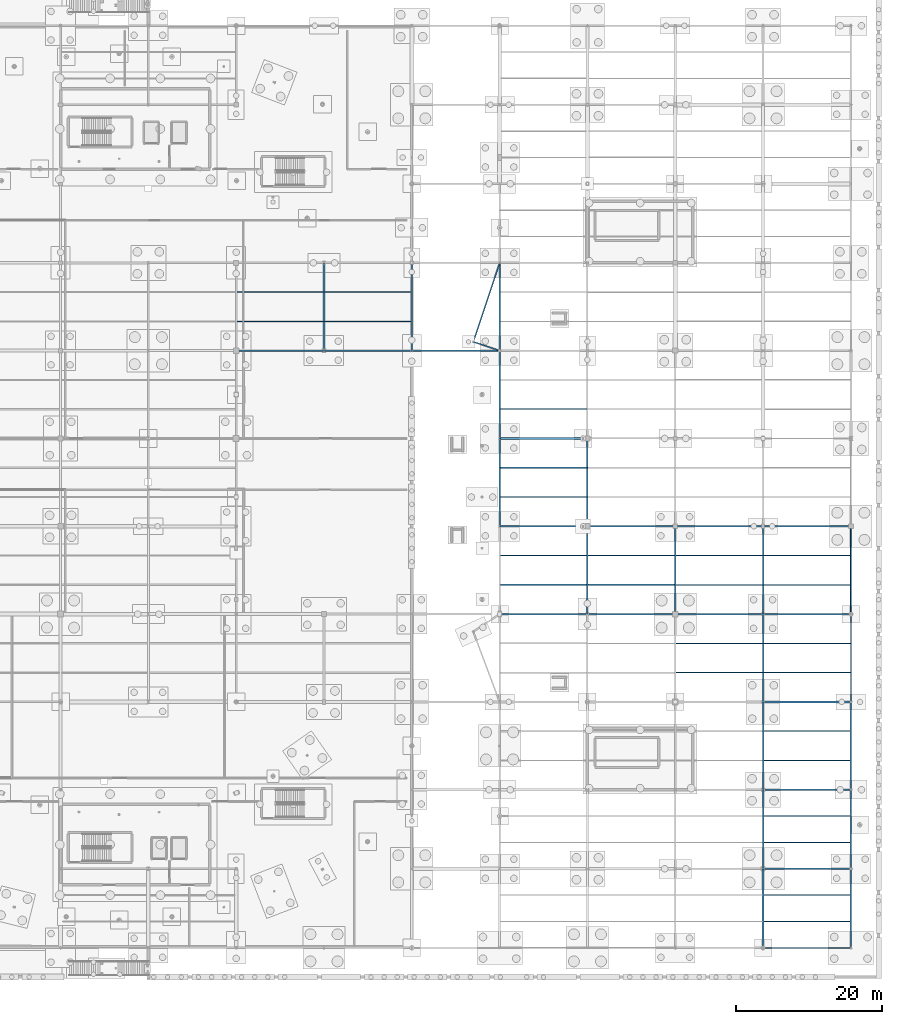
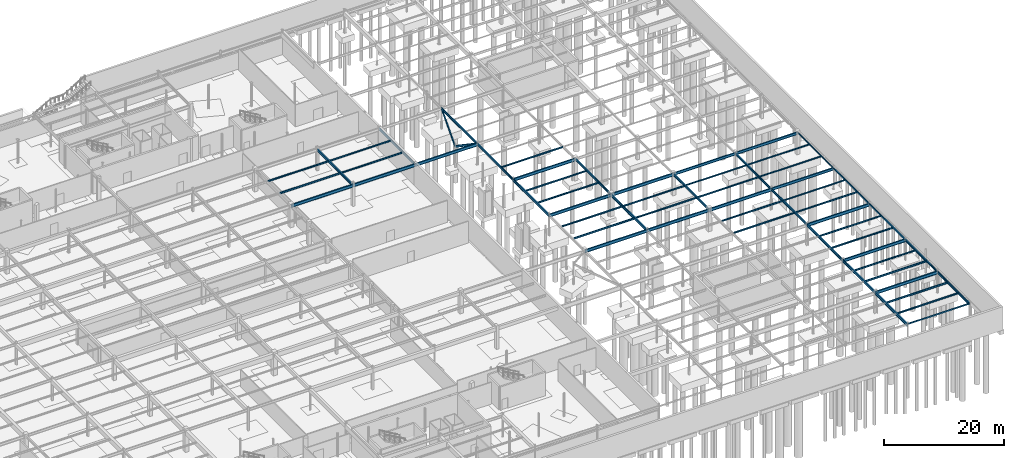
# One storey, part 85 of 136: 61 beams.
"""IFC4 building model written with IfcOpenShell, lengths in metres."""

from ifc_helpers import new_model, si_unit, direction, frame, origin, origin_2d, place, context, subcontext, project, spatial, hollow_rectangle, i_section, extrude, material, material_profile, profile_set, type_object, element, save


model = new_model("IFC4")

# Units and contexts
model_context = context("Model", 3, precision=1e-05, world=origin(), true_north=direction((0.0, 1.0)))
body_context = subcontext(model_context, "Body", "Model", "MODEL_VIEW")
ifc_project = project(units=[si_unit("LENGTHUNIT", "METRE"), si_unit("AREAUNIT", "SQUARE_METRE"), si_unit("VOLUMEUNIT", "CUBIC_METRE"), si_unit("PLANEANGLEUNIT", "RADIAN"), si_unit("MASSUNIT", "GRAM", prefix="KILO")], contexts=[model_context])

# Site, building, storey
site_placement = place(None, origin())
site = spatial("IfcSite", under=ifc_project, at=site_placement, CompositionType="ELEMENT")
building_placement = place(site_placement, origin())
building = spatial("IfcBuilding", under=site, at=building_placement, Name="Tarnwether General Hospital", CompositionType="ELEMENT")
storey_placement = place(building_placement, frame((0.0, 0.0, -4.800048828125)))
storey = spatial("IfcBuildingStorey", under=building, at=storey_placement, Name="LG", CompositionType="ELEMENT", Elevation=-4.800048828125)

# Beams
ifc_material_1 = material(Name="Steel Grade 350 (350 MPa)", Category="steel")
ifc_material_profile_1 = material_profile(ifc_material_1, i_section(OverallWidth=0.22900390625, OverallDepth=0.612060546875, WebThickness=0.011962890625, FlangeThickness=0.01953125, at=origin_2d()), Name="610UB125")
ifc_profile_set_1 = profile_set([ifc_material_profile_1], Name="Steel Grade 350 (350 MPa)")
beam_type_1 = type_object("IfcBeamType", Name="BM-G03", PredefinedType="BEAM", material=ifc_profile_set_1)
for number, where, z_axis, x_axis, name in (
    (1, (108.0, 81.60009765625, 4.1240234375), (1.0, 0.0, 0.0), (0.0, 1.0, 0.0), "Primary Girder BMG-LG-10800_8160-12000_8160-0200"),
    (2, (144.0, 45.60009765625, 4.114013671875), (1.0, 0.0, 0.0), (0.0, 1.0, 0.0), "Primary Girder BMG-LG-14400_4560-15600_4560-0239"),
    (3, (180.0, 10.800048828125, 4.114013671875), (1.0, 0.0, 0.0), (0.0, 1.0, 0.0), "Primary Girder BMG-LG-18000_1080-19200_1080-0302"),
):
    element("IfcBeam", number, at=place(storey_placement, frame(where, z_axis=z_axis, x_axis=x_axis)), inside=storey, type_object=beam_type_1, Name=name, PredefinedType="BEAM", context=body_context, shape_type="SweptSolid", body=[
        extrude(i_section(OverallWidth=0.22900390625, OverallDepth=0.612060546875, WebThickness=0.011962890625, FlangeThickness=0.01953125, at=origin_2d()), origin(), (0.0, 0.0, 1.0), 12.0),
    ])
ifc_material_2 = material(Name="Steel Grade 350 (350 MPa)", Category="steel")
ifc_material_profile_2 = material_profile(ifc_material_2, i_section(OverallWidth=0.22802734375, OverallDepth=0.60693359375, WebThickness=0.01123046875, FlangeThickness=0.017333984375, at=origin_2d()), Name="610UB113")
ifc_profile_set_2 = profile_set([ifc_material_profile_2], Name="Steel Grade 350 (350 MPa)")
beam_type_2 = type_object("IfcBeamType", Name="BM-G04", PredefinedType="BEAM", material=ifc_profile_set_2)
for number, where, z_axis, x_axis, name in (
    (4, (120.0, 81.60009765625, 4.116455078125), (1.0, 0.0, 0.0), (0.0, 1.0, 0.0), "Primary Girder BMG-LG-12000_8160-13200_8160-0209"),
    (5, (144.0, 57.60009765625, 4.116455078125), (1.0, 0.0, 0.0), (0.0, 1.0, 0.0), "Primary Girder BMG-LG-14400_5760-15600_5760-0241"),
    (6, (156.0, 45.60009765625, 4.116455078125), (1.0, 0.0, 0.0), (0.0, 1.0, 0.0), "Primary Girder BMG-LG-15600_4560-16800_4560-0262"),
    (7, (180.0, 21.60009765625, 4.116455078125), (1.0, 0.0, 0.0), (0.0, 1.0, 0.0), "Primary Girder BMG-LG-18000_2160-19200_2160-0304"),
):
    element("IfcBeam", number, at=place(storey_placement, frame(where, z_axis=z_axis, x_axis=x_axis)), inside=storey, type_object=beam_type_2, Name=name, PredefinedType="BEAM", context=body_context, shape_type="SweptSolid", body=[
        extrude(i_section(OverallWidth=0.22802734375, OverallDepth=0.60693359375, WebThickness=0.01123046875, FlangeThickness=0.017333984375, at=origin_2d()), origin(), (0.0, 0.0, 1.0), 12.0),
    ])
ifc_material_3 = material(Name="Steel Grade 350 (350 MPa)", Category="steel")
ifc_material_profile_3 = material_profile(ifc_material_3, i_section(OverallWidth=0.22802734375, OverallDepth=0.60205078125, WebThickness=0.010498046875, FlangeThickness=0.014892578125, at=origin_2d()), Name="610UB101")
ifc_profile_set_3 = profile_set([ifc_material_profile_3], Name="Steel Grade 350 (350 MPa)")
beam_type_3 = type_object("IfcBeamType", Name="BM-G05", PredefinedType="BEAM", material=ifc_profile_set_3)
for number, where, z_axis, x_axis, name in (
    (8, (132.0, 81.60009765625, 4.119140625), (1.0, 0.0, 0.0), (0.0, 1.0, 0.0), "Primary Girder BMG-LG-13200_8160-14400_8160-0222"),
    (9, (144.0, 69.60009765625, 4.119140625), (1.0, 0.0, 0.0), (0.0, 1.0, 0.0), "Primary Girder BMG-LG-14400_6960-15600_6960-0243"),
    (10, (156.0, 57.60009765625, 4.13916015625), (1.0, 0.0, 0.0), (0.0, 1.0, 0.0), "Primary Girder BMG-LG-15600_5760-16800_5760-0264"),
    (11, (168.0, 45.60009765625, 4.119140625), (1.0, 0.0, 0.0), (0.0, 1.0, 0.0), "Primary Girder BMG-LG-16800_4560-18000_4560-0285"),
):
    element("IfcBeam", number, at=place(storey_placement, frame(where, z_axis=z_axis, x_axis=x_axis)), inside=storey, type_object=beam_type_3, Name=name, PredefinedType="BEAM", context=body_context, shape_type="SweptSolid", body=[
        extrude(i_section(OverallWidth=0.22802734375, OverallDepth=0.60205078125, WebThickness=0.010498046875, FlangeThickness=0.014892578125, at=origin_2d()), origin(), (0.0, 0.0, 1.0), 12.0),
    ])
beam_1_placement = place(storey_placement, frame((180.0, 0.0, 4.119140625), z_axis=(0.0, 1.0, 0.0), x_axis=(-1.0, 0.0, 0.0)))
element("IfcBeam", 12, at=beam_1_placement, inside=storey, type_object=beam_type_3, Name="Primary Girder BMG-LG-18000_0-18000_1080-0301", PredefinedType="BEAM", context=body_context, shape_type="SweptSolid", body=[
    extrude(i_section(OverallWidth=0.22802734375, OverallDepth=0.60205078125, WebThickness=0.010498046875, FlangeThickness=0.014892578125, at=origin_2d()), origin(), (0.0, 0.0, 1.0), 10.800048828125),
])
beam_2_placement = place(storey_placement, frame((180.0, 33.60009765625, 4.119140625), z_axis=(1.0, 0.0, 0.0), x_axis=(0.0, 1.0, 0.0)))
element("IfcBeam", 13, at=beam_2_placement, inside=storey, type_object=beam_type_3, Name="Primary Girder BMG-LG-18000_3360-19200_3360-0306", PredefinedType="BEAM", context=body_context, shape_type="SweptSolid", body=[
    extrude(i_section(OverallWidth=0.22802734375, OverallDepth=0.60205078125, WebThickness=0.010498046875, FlangeThickness=0.014892578125, at=origin_2d()), origin(), (0.0, 0.0, 1.0), 12.0),
])
ifc_material_4 = material(Name="Steel Grade 350 (350 MPa)", Category="steel")
ifc_material_profile_4 = material_profile(ifc_material_4, i_section(OverallWidth=0.208984375, OverallDepth=0.532958984375, WebThickness=0.01025390625, FlangeThickness=0.015625, at=origin_2d()), Name="530UB92.4")
ifc_profile_set_4 = profile_set([ifc_material_profile_4], Name="Steel Grade 350 (350 MPa)")
beam_type_4 = type_object("IfcBeamType", Name="BM-G06", PredefinedType="BEAM", material=ifc_profile_set_4)
beam_3_placement = place(storey_placement, frame((168.0, 57.60009765625, 4.173583984375), z_axis=(1.0, 0.0, 0.0), x_axis=(0.0, 1.0, 0.0)))
element("IfcBeam", 14, at=beam_3_placement, inside=storey, type_object=beam_type_4, Name="Primary Girder BMG-LG-16800_5760-18000_5760-0287", PredefinedType="BEAM", context=body_context, shape_type="SweptSolid", body=[
    extrude(i_section(OverallWidth=0.208984375, OverallDepth=0.532958984375, WebThickness=0.01025390625, FlangeThickness=0.015625, at=origin_2d()), origin(), (0.0, 0.0, 1.0), 12.0),
])
beam_4_placement = place(storey_placement, frame((180.0, 10.800048828125, 4.153564453125), z_axis=(0.0, 1.0, 0.0), x_axis=(-1.0, 0.0, 0.0)))
element("IfcBeam", 15, at=beam_4_placement, inside=storey, type_object=beam_type_4, Name="Primary Girder BMG-LG-18000_1080-18000_2160-0303", PredefinedType="BEAM", context=body_context, shape_type="SweptSolid", body=[
    extrude(i_section(OverallWidth=0.208984375, OverallDepth=0.532958984375, WebThickness=0.01025390625, FlangeThickness=0.015625, at=origin_2d()), origin(), (0.0, 0.0, 1.0), 10.800048828125),
])
beam_5_placement = place(storey_placement, frame((180.0, 45.60009765625, 4.153564453125), z_axis=(1.0, 0.0, 0.0), x_axis=(0.0, 1.0, 0.0)))
element("IfcBeam", 16, at=beam_5_placement, inside=storey, type_object=beam_type_4, Name="Primary Girder BMG-LG-18000_4560-19200_4560-0308", PredefinedType="BEAM", context=body_context, shape_type="SweptSolid", body=[
    extrude(i_section(OverallWidth=0.208984375, OverallDepth=0.532958984375, WebThickness=0.01025390625, FlangeThickness=0.015625, at=origin_2d()), origin(), (0.0, 0.0, 1.0), 12.0),
])
ifc_material_5 = material(Name="Steel Grade 350 (350 MPa)", Category="steel")
ifc_material_profile_5 = material_profile(ifc_material_5, i_section(OverallWidth=0.208984375, OverallDepth=0.528076171875, WebThickness=0.009521484375, FlangeThickness=0.01318359375, at=origin_2d()), Name="530UB82.0")
ifc_profile_set_5 = profile_set([ifc_material_profile_5], Name="Steel Grade 350 (350 MPa)")
beam_type_5 = type_object("IfcBeamType", Name="BM-G07", PredefinedType="BEAM", material=ifc_profile_set_5)
for number, where, z_axis, x_axis, name in (
    (17, (120.0, 81.60009765625, 4.166015625), (0.0, 1.0, 0.0), (-1.0, 0.0, 0.0), "Primary Girder BMG-LG-12000_8160-12000_9360-0210"),
    (18, (144.0, 57.60009765625, 4.156005859375), (0.0, 1.0, 0.0), (-1.0, 0.0, 0.0), "Primary Girder BMG-LG-14400_5760-14400_6960-0242"),
    (19, (156.0, 45.60009765625, 4.156005859375), (0.0, 1.0, 0.0), (-1.0, 0.0, 0.0), "Primary Girder BMG-LG-15600_4560-15600_5760-0263"),
    (20, (180.0, 21.60009765625, 4.156005859375), (0.0, 1.0, 0.0), (-1.0, 0.0, 0.0), "Primary Girder BMG-LG-18000_2160-18000_3360-0305"),
    (21, (180.0, 57.60009765625, 4.176025390625), (1.0, 0.0, 0.0), (0.0, 1.0, 0.0), "Primary Girder BMG-LG-18000_5760-19200_5760-0310"),
):
    element("IfcBeam", number, at=place(storey_placement, frame(where, z_axis=z_axis, x_axis=x_axis)), inside=storey, type_object=beam_type_5, Name=name, PredefinedType="BEAM", context=body_context, shape_type="SweptSolid", body=[
        extrude(i_section(OverallWidth=0.208984375, OverallDepth=0.528076171875, WebThickness=0.009521484375, FlangeThickness=0.01318359375, at=origin_2d()), origin(), (0.0, 0.0, 1.0), 12.0),
    ])
ifc_material_6 = material(Name="Steel Grade 350 (350 MPa)", Category="steel")
ifc_material_profile_6 = material_profile(ifc_material_6, i_section(OverallWidth=0.19091796875, OverallDepth=0.4599609375, WebThickness=0.010009765625, FlangeThickness=0.01611328125, at=origin_2d()), Name="460UB82.1")
ifc_profile_set_6 = profile_set([ifc_material_profile_6], Name="Steel Grade 350 (350 MPa)")
beam_type_6 = type_object("IfcBeamType", Name="BM-G08", PredefinedType="BEAM", material=ifc_profile_set_6)
for number, where, z_axis, x_axis, name in (
    (22, (132.0, 81.60009765625, 4.18994140625), (0.0, 1.0, 0.0), (-1.0, 0.0, 0.0), "Primary Girder BMG-LG-13200_8160-13200_9360-0223"),
    (23, (144.0, 69.60009765625, 4.18994140625), (0.0, 1.0, 0.0), (-1.0, 0.0, 0.0), "Primary Girder BMG-LG-14400_6960-14400_8160-0244"),
    (24, (156.0, 57.60009765625, 4.2099609375), (0.0, 1.0, 0.0), (-1.0, 0.0, 0.0), "Primary Girder BMG-LG-15600_5760-15600_6960-0265"),
    (25, (168.0, 45.60009765625, 4.18994140625), (0.0, 1.0, 0.0), (-1.0, 0.0, 0.0), "Primary Girder BMG-LG-16800_4560-16800_5760-0286"),
    (26, (180.0, 33.60009765625, 4.18994140625), (0.0, 1.0, 0.0), (-1.0, 0.0, 0.0), "Primary Girder BMG-LG-18000_3360-18000_4560-0307"),
):
    element("IfcBeam", number, at=place(storey_placement, frame(where, z_axis=z_axis, x_axis=x_axis)), inside=storey, type_object=beam_type_6, Name=name, PredefinedType="BEAM", context=body_context, shape_type="SweptSolid", body=[
        extrude(i_section(OverallWidth=0.19091796875, OverallDepth=0.4599609375, WebThickness=0.010009765625, FlangeThickness=0.01611328125, at=origin_2d()), origin(), (0.0, 0.0, 1.0), 12.0),
    ])
ifc_material_7 = material(Name="Steel Grade 350 (350 MPa)", Category="steel")
ifc_material_profile_7 = material_profile(ifc_material_7, i_section(OverallWidth=0.18994140625, OverallDepth=0.45703125, WebThickness=0.009033203125, FlangeThickness=0.014404296875, at=origin_2d()), Name="460UB74.6")
ifc_profile_set_7 = profile_set([ifc_material_profile_7], Name="Steel Grade 350 (350 MPa)")
beam_type_7 = type_object("IfcBeamType", Name="BM-G09", PredefinedType="BEAM", material=ifc_profile_set_7)
for number, where, z_axis, x_axis, name in (
    (27, (144.0, 81.60009765625, 4.191650390625), (0.0, 1.0, 0.0), (-1.0, 0.0, 0.0), "Primary Girder BMG-LG-14400_8160-14400_9360-0246"),
    (28, (180.0, 45.60009765625, 4.191650390625), (0.0, 1.0, 0.0), (-1.0, 0.0, 0.0), "Primary Girder BMG-LG-18000_4560-18000_5760-0309"),
):
    element("IfcBeam", number, at=place(storey_placement, frame(where, z_axis=z_axis, x_axis=x_axis)), inside=storey, type_object=beam_type_7, Name=name, PredefinedType="BEAM", context=body_context, shape_type="SweptSolid", body=[
        extrude(i_section(OverallWidth=0.18994140625, OverallDepth=0.45703125, WebThickness=0.009033203125, FlangeThickness=0.014404296875, at=origin_2d()), origin(), (0.0, 0.0, 1.0), 12.0),
    ])
ifc_material_8 = material(Name="Steel Grade 350 (350 MPa)", Category="steel")
ifc_material_profile_8 = material_profile(ifc_material_8, i_section(OverallWidth=0.166015625, OverallDepth=0.306884765625, WebThickness=0.006591796875, FlangeThickness=0.01171875, at=origin_2d()), Name="310UB46.2")
ifc_profile_set_8 = profile_set([ifc_material_profile_8], Name="Steel Grade 350 (350 MPa)")
beam_type_8 = type_object("IfcBeamType", Name="BM-J05", PredefinedType="JOIST", material=ifc_profile_set_8)
beam_6_placement = place(storey_placement, frame((180.10791015625, 3.60009765625, 4.2666015625), z_axis=(1.0, 0.0, 0.0), x_axis=(0.0, 1.0, 0.0)))
element("IfcBeam", 29, at=beam_6_placement, inside=storey, type_object=beam_type_8, Name="Composite Floor Joist BMG-LG-18011_360-19191_360-0557", PredefinedType="JOIST", context=body_context, shape_type="SweptSolid", body=[
    extrude(i_section(OverallWidth=0.166015625, OverallDepth=0.306884765625, WebThickness=0.006591796875, FlangeThickness=0.01171875, at=origin_2d()), origin(), (0.0, 0.0, 1.0), 11.802978515625),
])
ifc_material_9 = material(Name="Steel Grade 350 (350 MPa)", Category="steel")
ifc_material_profile_9 = material_profile(ifc_material_9, i_section(OverallWidth=0.1708984375, OverallDepth=0.35205078125, WebThickness=0.0068359375, FlangeThickness=0.009765625, at=origin_2d()), Name="360UB44.7")
ifc_profile_set_9 = profile_set([ifc_material_profile_9], Name="Steel Grade 350 (350 MPa)")
beam_type_9 = type_object("IfcBeamType", Name="BM-J06", PredefinedType="JOIST", material=ifc_profile_set_9)
for number, where, z_axis, x_axis, name in (
    (30, (108.09912109375, 85.60009765625, 4.254150390625), (1.0, 0.0, 0.0), (0.0, 1.0, 0.0), "Composite Floor Joist BMG-LG-10810_8560-11990_8560-0485"),
    (31, (144.09912109375, 49.60009765625, 4.244140625), (1.0, 0.0, 0.0), (0.0, 1.0, 0.0), "Composite Floor Joist BMG-LG-14410_4960-15590_4960-0499"),
):
    element("IfcBeam", number, at=place(storey_placement, frame(where, z_axis=z_axis, x_axis=x_axis)), inside=storey, type_object=beam_type_9, Name=name, PredefinedType="JOIST", context=body_context, shape_type="SweptSolid", body=[
        extrude(i_section(OverallWidth=0.1708984375, OverallDepth=0.35205078125, WebThickness=0.0068359375, FlangeThickness=0.009765625, at=origin_2d()), origin(), (0.0, 0.0, 1.0), 11.8017578125),
    ])
beam_7_placement = place(storey_placement, frame((180.10791015625, 7.199951171875, 4.244140625), z_axis=(1.0, 0.0, 0.0), x_axis=(0.0, 1.0, 0.0)))
element("IfcBeam", 32, at=beam_7_placement, inside=storey, type_object=beam_type_9, Name="Composite Floor Joist BMG-LG-18011_720-19191_720-0558", PredefinedType="JOIST", context=body_context, shape_type="SweptSolid", body=[
    extrude(i_section(OverallWidth=0.1708984375, OverallDepth=0.35205078125, WebThickness=0.0068359375, FlangeThickness=0.009765625, at=origin_2d()), origin(), (0.0, 0.0, 1.0), 11.802978515625),
])
beam_8_placement = place(storey_placement, frame((180.09912109375, 14.39990234375, 4.244140625), z_axis=(1.0, 0.0, 0.0), x_axis=(0.0, 1.0, 0.0)))
element("IfcBeam", 33, at=beam_8_placement, inside=storey, type_object=beam_type_9, Name="Composite Floor Joist BMG-LG-18010_1440-19192_1440-0559", PredefinedType="JOIST", context=body_context, shape_type="SweptSolid", body=[
    extrude(i_section(OverallWidth=0.1708984375, OverallDepth=0.35205078125, WebThickness=0.0068359375, FlangeThickness=0.009765625, at=origin_2d()), origin(), (0.0, 0.0, 1.0), 11.81787109375),
])
ifc_material_10 = material(Name="Steel Grade 350 (350 MPa)", Category="steel")
ifc_material_profile_10 = material_profile(ifc_material_10, i_section(OverallWidth=0.1650390625, OverallDepth=0.303955078125, WebThickness=0.006103515625, FlangeThickness=0.01025390625, at=origin_2d()), Name="310UB40.4")
ifc_profile_set_10 = profile_set([ifc_material_profile_10], Name="Steel Grade 350 (350 MPa)")
beam_type_10 = type_object("IfcBeamType", Name="BM-J07", PredefinedType="JOIST", material=ifc_profile_set_10)
beam_9_placement = place(storey_placement, frame((108.09912109375, 89.60009765625, 4.278076171875), z_axis=(1.0, 0.0, 0.0), x_axis=(0.0, 1.0, 0.0)))
element("IfcBeam", 34, at=beam_9_placement, inside=storey, type_object=beam_type_10, Name="Composite Floor Joist BMG-LG-10810_8960-11990_8960-0486", PredefinedType="JOIST", context=body_context, shape_type="SweptSolid", body=[
    extrude(i_section(OverallWidth=0.1650390625, OverallDepth=0.303955078125, WebThickness=0.006103515625, FlangeThickness=0.01025390625, at=origin_2d()), origin(), (0.0, 0.0, 1.0), 11.8017578125),
])
beam_10_placement = place(storey_placement, frame((120.09912109375, 85.60009765625, 4.26806640625), z_axis=(1.0, 0.0, 0.0), x_axis=(0.0, 1.0, 0.0)))
element("IfcBeam", 35, at=beam_10_placement, inside=storey, type_object=beam_type_10, Name="Composite Floor Joist BMG-LG-12010_8560-13191_8560-0489", PredefinedType="JOIST", context=body_context, shape_type="SweptSolid", body=[
    extrude(i_section(OverallWidth=0.1650390625, OverallDepth=0.303955078125, WebThickness=0.006103515625, FlangeThickness=0.01025390625, at=origin_2d()), origin(), (0.0, 0.0, 1.0), 11.811767578125),
])
beam_11_placement = place(storey_placement, frame((144.09912109375, 53.60009765625, 4.26806640625), z_axis=(1.0, 0.0, 0.0), x_axis=(0.0, 1.0, 0.0)))
element("IfcBeam", 36, at=beam_11_placement, inside=storey, type_object=beam_type_10, Name="Composite Floor Joist BMG-LG-14410_5360-15590_5360-0500", PredefinedType="JOIST", context=body_context, shape_type="SweptSolid", body=[
    extrude(i_section(OverallWidth=0.1650390625, OverallDepth=0.303955078125, WebThickness=0.006103515625, FlangeThickness=0.01025390625, at=origin_2d()), origin(), (0.0, 0.0, 1.0), 11.8017578125),
])
for number, where, z_axis, x_axis, name in (
    (37, (144.09912109375, 61.60009765625, 4.26806640625), (1.0, 0.0, 0.0), (0.0, 1.0, 0.0), "Composite Floor Joist BMG-LG-14410_6160-15591_6160-0501"),
    (38, (156.09912109375, 49.60009765625, 4.26806640625), (1.0, 0.0, 0.0), (0.0, 1.0, 0.0), "Composite Floor Joist BMG-LG-15610_4960-16791_4960-0521"),
    (39, (168.09912109375, 37.60009765625, 4.26806640625), (1.0, 0.0, 0.0), (0.0, 1.0, 0.0), "Composite Floor Joist BMG-LG-16810_3760-17991_3760-0541"),
):
    element("IfcBeam", number, at=place(storey_placement, frame(where, z_axis=z_axis, x_axis=x_axis)), inside=storey, type_object=beam_type_10, Name=name, PredefinedType="JOIST", context=body_context, shape_type="SweptSolid", body=[
        extrude(i_section(OverallWidth=0.1650390625, OverallDepth=0.303955078125, WebThickness=0.006103515625, FlangeThickness=0.01025390625, at=origin_2d()), origin(), (0.0, 0.0, 1.0), 11.811767578125),
    ])
beam_12_placement = place(storey_placement, frame((180.09912109375, 18.0, 4.26806640625), z_axis=(1.0, 0.0, 0.0), x_axis=(0.0, 1.0, 0.0)))
element("IfcBeam", 40, at=beam_12_placement, inside=storey, type_object=beam_type_10, Name="Composite Floor Joist BMG-LG-18010_1800-19192_1800-0560", PredefinedType="JOIST", context=body_context, shape_type="SweptSolid", body=[
    extrude(i_section(OverallWidth=0.1650390625, OverallDepth=0.303955078125, WebThickness=0.006103515625, FlangeThickness=0.01025390625, at=origin_2d()), origin(), (0.0, 0.0, 1.0), 11.81787109375),
])
beam_13_placement = place(storey_placement, frame((180.09912109375, 25.60009765625, 4.26806640625), z_axis=(1.0, 0.0, 0.0), x_axis=(0.0, 1.0, 0.0)))
element("IfcBeam", 41, at=beam_13_placement, inside=storey, type_object=beam_type_10, Name="Composite Floor Joist BMG-LG-18010_2560-19191_2560-0561", PredefinedType="JOIST", context=body_context, shape_type="SweptSolid", body=[
    extrude(i_section(OverallWidth=0.1650390625, OverallDepth=0.303955078125, WebThickness=0.006103515625, FlangeThickness=0.01025390625, at=origin_2d()), origin(), (0.0, 0.0, 1.0), 11.806884765625),
])
ifc_material_11 = material(Name="Steel Grade 350 (350 MPa)", Category="steel")
ifc_material_profile_11 = material_profile(ifc_material_11, i_section(OverallWidth=0.14892578125, OverallDepth=0.298095703125, WebThickness=0.005615234375, FlangeThickness=0.008056640625, at=origin_2d()), Name="310UB32.0")
ifc_profile_set_11 = profile_set([ifc_material_profile_11], Name="Steel Grade 350 (350 MPa)")
beam_type_11 = type_object("IfcBeamType", Name="BM-J08", PredefinedType="JOIST", material=ifc_profile_set_11)
for number, where, z_axis, x_axis, name in (
    (42, (120.09912109375, 89.60009765625, 4.27099609375), (1.0, 0.0, 0.0), (0.0, 1.0, 0.0), "Composite Floor Joist BMG-LG-12010_8960-13191_8960-0490"),
    (43, (144.09912109375, 65.60009765625, 4.27099609375), (1.0, 0.0, 0.0), (0.0, 1.0, 0.0), "Composite Floor Joist BMG-LG-14410_6560-15591_6560-0502"),
):
    element("IfcBeam", number, at=place(storey_placement, frame(where, z_axis=z_axis, x_axis=x_axis)), inside=storey, type_object=beam_type_11, Name=name, PredefinedType="JOIST", context=body_context, shape_type="SweptSolid", body=[
        extrude(i_section(OverallWidth=0.14892578125, OverallDepth=0.298095703125, WebThickness=0.005615234375, FlangeThickness=0.008056640625, at=origin_2d()), origin(), (0.0, 0.0, 1.0), 11.811767578125),
    ])
beam_14_placement = place(storey_placement, frame((144.089111328125, 73.60009765625, 4.27099609375), z_axis=(1.0, 0.0, 0.0), x_axis=(0.0, 1.0, 0.0)))
element("IfcBeam", 44, at=beam_14_placement, inside=storey, type_object=beam_type_11, Name="Composite Floor Joist BMG-LG-14409_7360-15591_7360-0503", PredefinedType="JOIST", context=body_context, shape_type="SweptSolid", body=[
    extrude(i_section(OverallWidth=0.14892578125, OverallDepth=0.298095703125, WebThickness=0.005615234375, FlangeThickness=0.008056640625, at=origin_2d()), origin(), (0.0, 0.0, 1.0), 11.82177734375),
])
for number, where, z_axis, x_axis, name in (
    (45, (156.09912109375, 53.60009765625, 4.27099609375), (1.0, 0.0, 0.0), (0.0, 1.0, 0.0), "Composite Floor Joist BMG-LG-15610_5360-16791_5360-0522"),
    (46, (168.09912109375, 41.60009765625, 4.27099609375), (1.0, 0.0, 0.0), (0.0, 1.0, 0.0), "Composite Floor Joist BMG-LG-16810_4160-17991_4160-0542"),
):
    element("IfcBeam", number, at=place(storey_placement, frame(where, z_axis=z_axis, x_axis=x_axis)), inside=storey, type_object=beam_type_11, Name=name, PredefinedType="JOIST", context=body_context, shape_type="SweptSolid", body=[
        extrude(i_section(OverallWidth=0.14892578125, OverallDepth=0.298095703125, WebThickness=0.005615234375, FlangeThickness=0.008056640625, at=origin_2d()), origin(), (0.0, 0.0, 1.0), 11.811767578125),
    ])
beam_15_placement = place(storey_placement, frame((168.089111328125, 49.60009765625, 4.27099609375), z_axis=(1.0, 0.0, 0.0), x_axis=(0.0, 1.0, 0.0)))
element("IfcBeam", 47, at=beam_15_placement, inside=storey, type_object=beam_type_11, Name="Composite Floor Joist BMG-LG-16809_4960-17991_4960-0543", PredefinedType="JOIST", context=body_context, shape_type="SweptSolid", body=[
    extrude(i_section(OverallWidth=0.14892578125, OverallDepth=0.298095703125, WebThickness=0.005615234375, FlangeThickness=0.008056640625, at=origin_2d()), origin(), (0.0, 0.0, 1.0), 11.82177734375),
])
beam_16_placement = place(storey_placement, frame((180.09912109375, 29.60009765625, 4.27099609375), z_axis=(1.0, 0.0, 0.0), x_axis=(0.0, 1.0, 0.0)))
element("IfcBeam", 48, at=beam_16_placement, inside=storey, type_object=beam_type_11, Name="Composite Floor Joist BMG-LG-18010_2960-19191_2960-0562", PredefinedType="JOIST", context=body_context, shape_type="SweptSolid", body=[
    extrude(i_section(OverallWidth=0.14892578125, OverallDepth=0.298095703125, WebThickness=0.005615234375, FlangeThickness=0.008056640625, at=origin_2d()), origin(), (0.0, 0.0, 1.0), 11.806884765625),
])
beam_17_placement = place(storey_placement, frame((180.089111328125, 37.60009765625, 4.27099609375), z_axis=(1.0, 0.0, 0.0), x_axis=(0.0, 1.0, 0.0)))
element("IfcBeam", 49, at=beam_17_placement, inside=storey, type_object=beam_type_11, Name="Composite Floor Joist BMG-LG-18009_3760-19192_3760-0563", PredefinedType="JOIST", context=body_context, shape_type="SweptSolid", body=[
    extrude(i_section(OverallWidth=0.14892578125, OverallDepth=0.298095703125, WebThickness=0.005615234375, FlangeThickness=0.008056640625, at=origin_2d()), origin(), (0.0, 0.0, 1.0), 11.830810546875),
])
ifc_material_12 = material(Name="Steel Grade 350 (350 MPa)", Category="steel")
ifc_material_profile_12 = material_profile(ifc_material_12, i_section(OverallWidth=0.14599609375, OverallDepth=0.256103515625, WebThickness=0.00634765625, FlangeThickness=0.010986328125, at=origin_2d()), Name="250UB37.3")
ifc_profile_set_12 = profile_set([ifc_material_profile_12], Name="Steel Grade 350 (350 MPa)")
beam_type_12 = type_object("IfcBeamType", Name="BM-J09", PredefinedType="JOIST", material=ifc_profile_set_12)
beam_18_placement = place(storey_placement, frame((168.089111328125, 53.60009765625, 4.2919921875), z_axis=(1.0, 0.0, 0.0), x_axis=(0.0, 1.0, 0.0)))
element("IfcBeam", 50, at=beam_18_placement, inside=storey, type_object=beam_type_12, Name="Composite Floor Joist BMG-LG-16809_5360-17991_5360-0544", PredefinedType="JOIST", context=body_context, shape_type="SweptSolid", body=[
    extrude(i_section(OverallWidth=0.14599609375, OverallDepth=0.256103515625, WebThickness=0.00634765625, FlangeThickness=0.010986328125, at=origin_2d()), origin(), (0.0, 0.0, 1.0), 11.82177734375),
])
for number, where, z_axis, x_axis, name in (
    (51, (180.089111328125, 41.60009765625, 4.2919921875), (1.0, 0.0, 0.0), (0.0, 1.0, 0.0), "Composite Floor Joist BMG-LG-18009_4160-19192_4160-0564"),
    (52, (180.089111328125, 49.60009765625, 4.2919921875), (1.0, 0.0, 0.0), (0.0, 1.0, 0.0), "Composite Floor Joist BMG-LG-18009_4960-19192_4960-0565"),
):
    element("IfcBeam", number, at=place(storey_placement, frame(where, z_axis=z_axis, x_axis=x_axis)), inside=storey, type_object=beam_type_12, Name=name, PredefinedType="JOIST", context=body_context, shape_type="SweptSolid", body=[
        extrude(i_section(OverallWidth=0.14599609375, OverallDepth=0.256103515625, WebThickness=0.00634765625, FlangeThickness=0.010986328125, at=origin_2d()), origin(), (0.0, 0.0, 1.0), 11.830810546875),
    ])
ifc_material_13 = material(Name="Steel Grade 350 (350 MPa)", Category="steel")
ifc_material_profile_13 = material_profile(ifc_material_13, i_section(OverallWidth=0.14599609375, OverallDepth=0.251953125, WebThickness=0.006103515625, FlangeThickness=0.008544921875, at=origin_2d()), Name="250UB31.4")
ifc_profile_set_13 = profile_set([ifc_material_profile_13], Name="Steel Grade 350 (350 MPa)")
beam_type_13 = type_object("IfcBeamType", Name="BM-J10", PredefinedType="JOIST", material=ifc_profile_set_13)
beam_19_placement = place(storey_placement, frame((180.089111328125, 53.60009765625, 4.2939453125), z_axis=(1.0, 0.0, 0.0), x_axis=(0.0, 1.0, 0.0)))
element("IfcBeam", 53, at=beam_19_placement, inside=storey, type_object=beam_type_13, Name="Composite Floor Joist BMG-LG-18009_5360-19192_5360-0566", PredefinedType="JOIST", context=body_context, shape_type="SweptSolid", body=[
    extrude(i_section(OverallWidth=0.14599609375, OverallDepth=0.251953125, WebThickness=0.006103515625, FlangeThickness=0.008544921875, at=origin_2d()), origin(), (0.0, 0.0, 1.0), 11.830810546875),
])
ifc_material_14 = material(Name="Steel Grade 350 (350 MPa)", Category="steel")
ifc_material_profile_14 = material_profile(ifc_material_14, i_section(OverallWidth=0.18994140625, OverallDepth=0.4541015625, WebThickness=0.008544921875, FlangeThickness=0.0126953125, at=origin_2d()), Name="460UB67.1")
ifc_profile_set_14 = profile_set([ifc_material_profile_14], Name="Steel Grade 350 (350 MPa)")
beam_type_14 = type_object("IfcBeamType", Name="BM-SP1", PredefinedType="SPANDREL", material=ifc_profile_set_14)
beam_20_placement = place(storey_placement, frame((192.0, 0.0, 4.193115234375), z_axis=(0.0, 1.0, 0.0), x_axis=(-1.0, 0.0, 0.0)))
element("IfcBeam", 54, at=beam_20_placement, inside=storey, type_object=beam_type_14, Name="Primary Girder BMG-LG-19200_0-19200_1080-0323", PredefinedType="SPANDREL", context=body_context, shape_type="SweptSolid", body=[
    extrude(i_section(OverallWidth=0.18994140625, OverallDepth=0.4541015625, WebThickness=0.008544921875, FlangeThickness=0.0126953125, at=origin_2d()), origin(), (0.0, 0.0, 1.0), 10.800048828125),
])
ifc_material_15 = material(Name="Steel Grade 350 (350 MPa)", Category="steel")
ifc_material_profile_15 = material_profile(ifc_material_15, i_section(OverallWidth=0.177978515625, OverallDepth=0.403076171875, WebThickness=0.007568359375, FlangeThickness=0.010986328125, at=origin_2d()), Name="410UB53.7")
ifc_profile_set_15 = profile_set([ifc_material_profile_15], Name="Steel Grade 350 (350 MPa)")
beam_type_15 = type_object("IfcBeamType", Name="BM-SP2", PredefinedType="SPANDREL", material=ifc_profile_set_15)
beam_21_placement = place(storey_placement, frame((192.0, 10.800048828125, 4.218505859375), z_axis=(0.0, 1.0, 0.0), x_axis=(-1.0, 0.0, 0.0)))
element("IfcBeam", 55, at=beam_21_placement, inside=storey, type_object=beam_type_15, Name="Primary Girder BMG-LG-19200_1080-19200_2160-0324", PredefinedType="SPANDREL", context=body_context, shape_type="SweptSolid", body=[
    extrude(i_section(OverallWidth=0.177978515625, OverallDepth=0.403076171875, WebThickness=0.007568359375, FlangeThickness=0.010986328125, at=origin_2d()), origin(), (0.0, 0.0, 1.0), 10.800048828125),
])
beam_22_placement = place(storey_placement, frame((144.0, 81.60009765625, 4.228515625), z_axis=(-0.948689731394, 0.316208465333, 0.0), x_axis=(-0.316208465333, -0.948689731394, 0.0)))
element("IfcBeam", 56, at=beam_22_placement, inside=storey, type_object=beam_type_15, Name="Forecourt North Shard Tie BMG-LG-14400_8160-14040_8280-2222", PredefinedType="SPANDREL", context=body_context, shape_type="SweptSolid", body=[
    extrude(i_section(OverallWidth=0.177978515625, OverallDepth=0.403076171875, WebThickness=0.007568359375, FlangeThickness=0.010986328125, at=origin_2d()), origin(), (0.0, 0.0, 1.0), 3.794921875),
])
beam_23_placement = place(storey_placement, frame((140.39990234375, 82.800048828125, 4.228515625), z_axis=(0.316234199636, 0.948681153486, 0.0), x_axis=(-0.948681153486, 0.316234199636, 0.0)))
element("IfcBeam", 57, at=beam_23_placement, inside=storey, type_object=beam_type_15, Name="Forecourt North Shard Girder BMG-LG-14040_8280-14400_9360-2223", PredefinedType="SPANDREL", context=body_context, shape_type="SweptSolid", body=[
    extrude(i_section(OverallWidth=0.177978515625, OverallDepth=0.403076171875, WebThickness=0.007568359375, FlangeThickness=0.010986328125, at=origin_2d()), origin(), (0.0, 0.0, 1.0), 11.38427734375),
])
ifc_material_16 = material(Name="Steel Grade C350L0 (350 MPa)", Category="steel")
ifc_material_profile_16 = material_profile(ifc_material_16, hollow_rectangle(XDim=0.199951171875, YDim=0.300048828125, WallThickness=0.012451171875, at=origin_2d()), Name="RHS300x200x12.5")
ifc_profile_set_16 = profile_set([ifc_material_profile_16], Name="Steel Grade C350L0 (350 MPa)")
beam_type_16 = type_object("IfcBeamType", Name="BM-SP3", PredefinedType="SPANDREL", material=ifc_profile_set_16)
beam_24_placement = place(storey_placement, frame((192.0, 21.60009765625, 4.27001953125), z_axis=(0.0, 1.0, 0.0), x_axis=(-1.0, 0.0, 0.0)))
element("IfcBeam", 58, at=beam_24_placement, inside=storey, type_object=beam_type_16, Name="Primary Girder BMG-LG-19200_2160-19200_3360-0325", PredefinedType="SPANDREL", context=body_context, shape_type="SweptSolid", body=[
    extrude(hollow_rectangle(XDim=0.199951171875, YDim=0.300048828125, WallThickness=0.012451171875, at=origin_2d()), origin(), (0.0, 0.0, 1.0), 12.0),
])
ifc_material_17 = material(Name="Steel Grade C350L0 (350 MPa)", Category="steel")
ifc_material_profile_17 = material_profile(ifc_material_17, hollow_rectangle(XDim=0.14990234375, YDim=0.25, WallThickness=0.010009765625, at=origin_2d()), Name="RHS250x150x10")
ifc_profile_set_17 = profile_set([ifc_material_profile_17], Name="Steel Grade C350L0 (350 MPa)")
beam_type_17 = type_object("IfcBeamType", Name="BM-SP4", PredefinedType="SPANDREL", material=ifc_profile_set_17)
beam_25_placement = place(storey_placement, frame((192.0, 33.60009765625, 4.295166015625), z_axis=(0.0, 1.0, 0.0), x_axis=(-1.0, 0.0, 0.0)))
element("IfcBeam", 59, at=beam_25_placement, inside=storey, type_object=beam_type_17, Name="Primary Girder BMG-LG-19200_3360-19200_4560-0326", PredefinedType="SPANDREL", context=body_context, shape_type="SweptSolid", body=[
    extrude(hollow_rectangle(XDim=0.14990234375, YDim=0.25, WallThickness=0.010009765625, at=origin_2d()), origin(), (0.0, 0.0, 1.0), 12.0),
])
ifc_material_18 = material(Name="Steel Grade 350 (350 MPa)", Category="steel")
ifc_material_profile_18 = material_profile(ifc_material_18, i_section(OverallWidth=0.133056640625, OverallDepth=0.202880859375, WebThickness=0.005859375, FlangeThickness=0.0078125, at=origin_2d()), Name="200UB25.4")
ifc_profile_set_18 = profile_set([ifc_material_profile_18], Name="Steel Grade 350 (350 MPa)")
beam_type_18 = type_object("IfcBeamType", Name="BM-SP5", PredefinedType="SPANDREL", material=ifc_profile_set_18)
beam_26_placement = place(storey_placement, frame((192.0, 45.60009765625, 4.318603515625), z_axis=(0.0, 1.0, 0.0), x_axis=(-1.0, 0.0, 0.0)))
element("IfcBeam", 60, at=beam_26_placement, inside=storey, type_object=beam_type_18, Name="Primary Girder BMG-LG-19200_4560-19200_5760-0327", PredefinedType="SPANDREL", context=body_context, shape_type="SweptSolid", body=[
    extrude(i_section(OverallWidth=0.133056640625, OverallDepth=0.202880859375, WebThickness=0.005859375, FlangeThickness=0.0078125, at=origin_2d()), origin(), (0.0, 0.0, 1.0), 12.0),
])
ifc_material_19 = material(Name="Steel Grade C350L0 (350 MPa)", Category="steel")
ifc_material_profile_19 = material_profile(ifc_material_19, hollow_rectangle(XDim=0.14990234375, YDim=0.25, WallThickness=0.008056640625, at=origin_2d()), Name="RHS250x150x8")
ifc_profile_set_19 = profile_set([ifc_material_profile_19], Name="Steel Grade C350L0 (350 MPa)")
beam_type_19 = type_object("IfcBeamType", Name="BM-SP8", PredefinedType="SPANDREL", material=ifc_profile_set_19)
beam_27_placement = place(storey_placement, frame((180.0, 0.0, 4.295166015625), z_axis=(1.0, 0.0, 0.0), x_axis=(0.0, 1.0, 0.0)))
element("IfcBeam", 61, at=beam_27_placement, inside=storey, type_object=beam_type_19, Name="Primary Girder BMG-LG-18000_0-19200_0-0300", PredefinedType="SPANDREL", context=body_context, shape_type="SweptSolid", body=[
    extrude(hollow_rectangle(XDim=0.14990234375, YDim=0.25, WallThickness=0.008056640625, at=origin_2d()), origin(), (0.0, 0.0, 1.0), 12.0),
])

save(model, "model.ifc")
